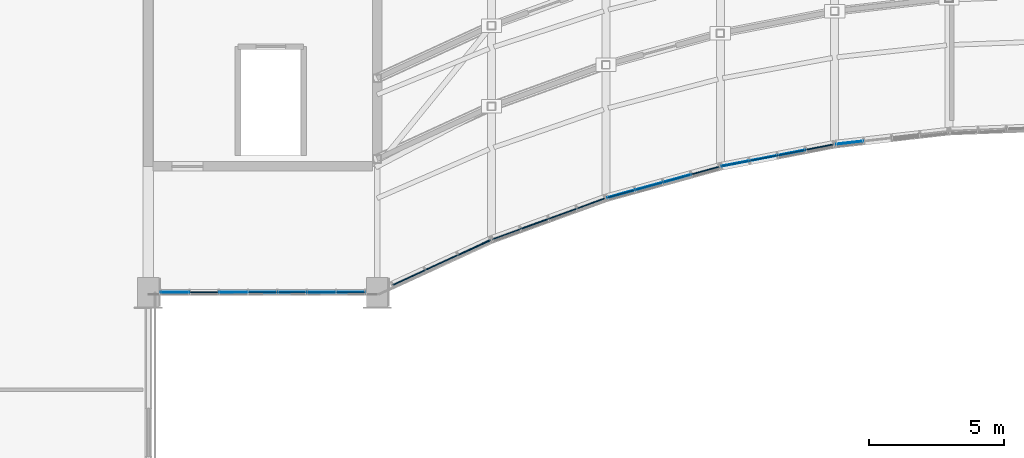
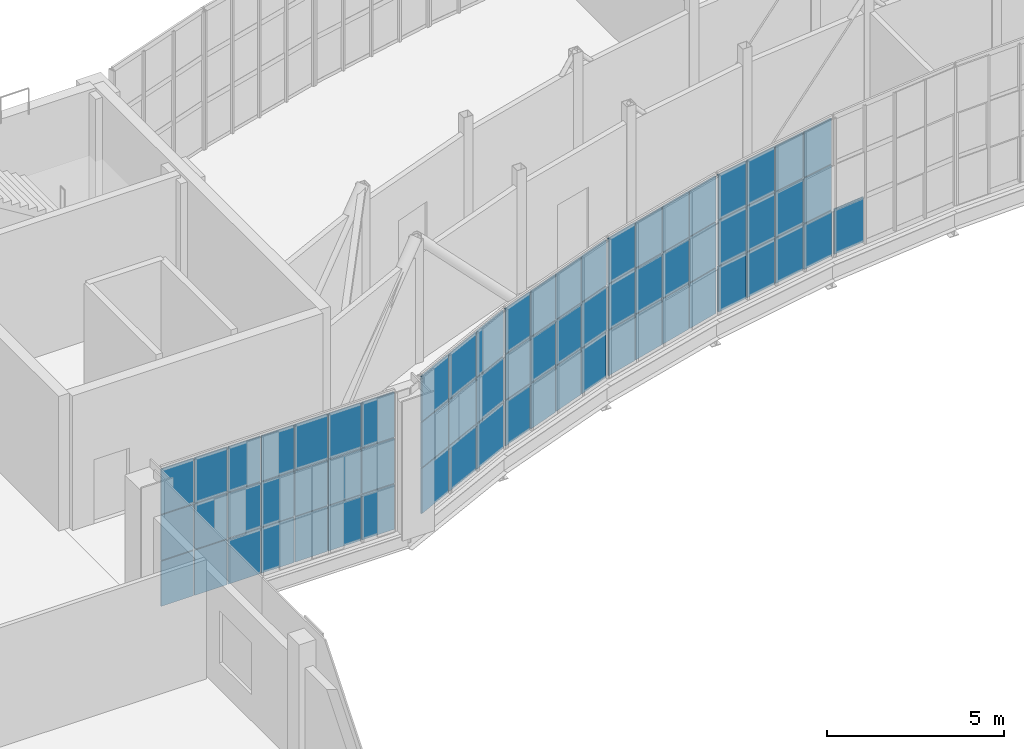
# One storey, part 42 of 66: 67 plates, 6 elements without a shape of their own.
"""IFC4 building model written with IfcOpenShell, lengths in metres."""

from ifc_helpers import new_model, si_unit, direction, frame, origin, origin_2d, place, context, subcontext, project, spatial, rectangle, extrude, material, layer, layer_set, type_object, element, aggregate, save


model = new_model("IFC4")

# Units and contexts
model_context = context("Model", 3, precision=1e-05, world=origin(), true_north=direction((0.0, 1.0)))
body_context = subcontext(model_context, "Body", "Model", "MODEL_VIEW")
ifc_project = project(units=[si_unit("LENGTHUNIT", "METRE"), si_unit("AREAUNIT", "SQUARE_METRE"), si_unit("VOLUMEUNIT", "CUBIC_METRE"), si_unit("PLANEANGLEUNIT", "RADIAN"), si_unit("MASSUNIT", "GRAM", prefix="KILO")], contexts=[model_context])

# Site, building, storey
site_placement = place(None, origin())
site = spatial("IfcSite", under=ifc_project, at=site_placement, CompositionType="ELEMENT")
building_placement = place(site_placement, origin())
building = spatial("IfcBuilding", under=site, at=building_placement, Name="Solvikara Media Centre", CompositionType="ELEMENT")
storey_placement = place(building_placement, frame((0.0, 0.0, 19.800048828125)))
storey = spatial("IfcBuildingStorey", under=building, at=storey_placement, Name="L04", CompositionType="ELEMENT", Elevation=19.800048828125)

# Curtain wall, plates
ifc_material_1 = material(Name="Anodised aluminium EN AW-6063", Category="aluminium")
curtain_wall_type_1 = type_object("IfcCurtainWallType", Name="CW-01", PredefinedType="NOTDEFINED", material=ifc_material_1)
curtain_wall_1_placement = place(storey_placement, origin())
curtain_wall_1 = element("IfcCurtainWall", 1, at=curtain_wall_1_placement, inside=storey, type_object=curtain_wall_type_1, Name="CW-L04-SARC-00", PredefinedType="NOTDEFINED")
ifc_material_2 = material(Name="Laminated solar-control cyan vision glass", Category="glass")
ifc_layer_1 = layer(ifc_material_2, 0.035888671875)
ifc_layer_set_1 = layer_set([ifc_layer_1], Name="Laminated solar-control cyan vision glass")
plate_type_1 = type_object("IfcPlateType", Name="PN-01", PredefinedType="CURTAIN_PANEL", material=ifc_layer_set_1)
plate_1_placement = place(storey_placement, frame((78.89697265625, 20.427001953125, 0.03466796875), z_axis=(0.0, 0.0, 1.0), x_axis=(0.908566513921, 0.417740218056, 0.0)))
plate_1 = element("IfcPlate", 2, at=plate_1_placement, type_object=plate_type_1, Name="CW-L04-SARC-00-P0100", PredefinedType="CURTAIN_PANEL", context=body_context, shape_type="SweptSolid", body=[
    extrude(rectangle(XDim=1.306884765625, YDim=0.035888671875, at=origin_2d()), origin(), (0.0, 0.0, 1.0), 1.556884765625),
])
plate_2_placement = place(storey_placement, frame((78.89697265625, 20.427001953125, 3.20849609375), z_axis=(0.0, 0.0, 1.0), x_axis=(0.908566513921, 0.417740218056, 0.0)))
plate_2 = element("IfcPlate", 3, at=plate_2_placement, type_object=plate_type_1, Name="CW-L04-SARC-00-P0102", PredefinedType="CURTAIN_PANEL", context=body_context, shape_type="SweptSolid", body=[
    extrude(rectangle(XDim=1.306884765625, YDim=0.035888671875, at=origin_2d()), origin(), (0.0, 0.0, 1.0), 1.556884765625),
])

curtain_wall_2_placement = place(storey_placement, origin())
curtain_wall_2 = element("IfcCurtainWall", 4, at=curtain_wall_2_placement, inside=storey, type_object=curtain_wall_type_1, Name="CW-L04-SARC-01", PredefinedType="NOTDEFINED")
plate_3_placement = place(storey_placement, frame((81.305908203125, 21.48095703125, 0.03466796875), z_axis=(0.0, 0.0, 1.0), x_axis=(0.939823877818, 0.341659302058, 0.0)))
plate_3 = element("IfcPlate", 5, at=plate_3_placement, type_object=plate_type_1, Name="CW-L04-SARC-01-P0000", PredefinedType="CURTAIN_PANEL", context=body_context, shape_type="SweptSolid", body=[
    extrude(rectangle(XDim=1.0830078125, YDim=0.035888671875, at=origin_2d()), origin(), (0.0, 0.0, 1.0), 1.556884765625),
])
plate_4_placement = place(storey_placement, frame((81.305908203125, 21.48095703125, 1.62158203125), z_axis=(0.0, 0.0, 1.0), x_axis=(0.939823877818, 0.341659302058, 0.0)))
plate_4 = element("IfcPlate", 6, at=plate_4_placement, type_object=plate_type_1, Name="CW-L04-SARC-01-P0001", PredefinedType="CURTAIN_PANEL", context=body_context, shape_type="SweptSolid", body=[
    extrude(rectangle(XDim=1.0830078125, YDim=0.035888671875, at=origin_2d()), origin(), (0.0, 0.0, 1.0), 1.556884765625),
])
plate_5_placement = place(storey_placement, frame((81.305908203125, 21.48095703125, 3.20849609375), z_axis=(0.0, 0.0, 1.0), x_axis=(0.939823877818, 0.341659302058, 0.0)))
plate_5 = element("IfcPlate", 7, at=plate_5_placement, type_object=plate_type_1, Name="CW-L04-SARC-01-P0002", PredefinedType="CURTAIN_PANEL", context=body_context, shape_type="SweptSolid", body=[
    extrude(rectangle(XDim=1.0830078125, YDim=0.035888671875, at=origin_2d()), origin(), (0.0, 0.0, 1.0), 1.556884765625),
])
plate_6_placement = place(storey_placement, frame((82.35205078125, 21.861083984375, 3.20849609375), z_axis=(0.0, 0.0, 1.0), x_axis=(0.939823877818, 0.341659302058, 0.0)))
plate_6 = element("IfcPlate", 8, at=plate_6_placement, type_object=plate_type_1, Name="CW-L04-SARC-01-P0102", PredefinedType="CURTAIN_PANEL", context=body_context, shape_type="SweptSolid", body=[
    extrude(rectangle(XDim=1.0830078125, YDim=0.035888671875, at=origin_2d()), origin(), (0.0, 0.0, 1.0), 1.556884765625),
])
plate_7_placement = place(storey_placement, frame((83.39794921875, 22.240966796875, 0.03466796875), z_axis=(0.0, 0.0, 1.0), x_axis=(0.939823877818, 0.341659302058, 0.0)))
plate_7 = element("IfcPlate", 9, at=plate_7_placement, type_object=plate_type_1, Name="CW-L04-SARC-01-P0200", PredefinedType="CURTAIN_PANEL", context=body_context, shape_type="SweptSolid", body=[
    extrude(rectangle(XDim=1.0830078125, YDim=0.035888671875, at=origin_2d()), origin(), (0.0, 0.0, 1.0), 1.556884765625),
])
plate_8_placement = place(storey_placement, frame((83.39794921875, 22.240966796875, 1.62158203125), z_axis=(0.0, 0.0, 1.0), x_axis=(0.939823877818, 0.341659302058, 0.0)))
plate_8 = element("IfcPlate", 10, at=plate_8_placement, type_object=plate_type_1, Name="CW-L04-SARC-01-P0201", PredefinedType="CURTAIN_PANEL", context=body_context, shape_type="SweptSolid", body=[
    extrude(rectangle(XDim=1.0830078125, YDim=0.035888671875, at=origin_2d()), origin(), (0.0, 0.0, 1.0), 1.556884765625),
])
plate_9_placement = place(storey_placement, frame((83.39794921875, 22.240966796875, 3.20849609375), z_axis=(0.0, 0.0, 1.0), x_axis=(0.939823877818, 0.341659302058, 0.0)))
plate_9 = element("IfcPlate", 11, at=plate_9_placement, type_object=plate_type_1, Name="CW-L04-SARC-01-P0202", PredefinedType="CURTAIN_PANEL", context=body_context, shape_type="SweptSolid", body=[
    extrude(rectangle(XDim=1.0830078125, YDim=0.035888671875, at=origin_2d()), origin(), (0.0, 0.0, 1.0), 1.556884765625),
])
plate_10_placement = place(storey_placement, frame((84.444091796875, 22.6220703125, 0.03466796875), z_axis=(0.0, 0.0, 1.0), x_axis=(0.939823877818, 0.341659302058, 0.0)))
plate_10 = element("IfcPlate", 12, at=plate_10_placement, type_object=plate_type_1, Name="CW-L04-SARC-01-P0300", PredefinedType="CURTAIN_PANEL", context=body_context, shape_type="SweptSolid", body=[
    extrude(rectangle(XDim=1.0830078125, YDim=0.035888671875, at=origin_2d()), origin(), (0.0, 0.0, 1.0), 1.556884765625),
])

curtain_wall_3_placement = place(storey_placement, origin())
curtain_wall_3 = element("IfcCurtainWall", 13, at=curtain_wall_3_placement, inside=storey, type_object=curtain_wall_type_1, Name="CW-L04-SARC-02", PredefinedType="NOTDEFINED")
plate_11_placement = place(storey_placement, frame((85.555908203125, 22.97705078125, 1.62158203125), z_axis=(0.0, 0.0, 1.0), x_axis=(0.96397015682, 0.26601040724, 0.0)))
plate_11 = element("IfcPlate", 14, at=plate_11_placement, type_object=plate_type_1, Name="CW-L04-SARC-02-P0001", PredefinedType="CURTAIN_PANEL", context=body_context, shape_type="SweptSolid", body=[
    extrude(rectangle(XDim=1.054931640625, YDim=0.035888671875, at=origin_2d()), origin(), (0.0, 0.0, 1.0), 1.556884765625),
])
plate_12_placement = place(storey_placement, frame((86.60205078125, 23.26611328125, 0.03466796875), z_axis=(0.0, 0.0, 1.0), x_axis=(0.96397015682, 0.26601040724, 0.0)))
plate_12 = element("IfcPlate", 15, at=plate_12_placement, type_object=plate_type_1, Name="CW-L04-SARC-02-P0100", PredefinedType="CURTAIN_PANEL", context=body_context, shape_type="SweptSolid", body=[
    extrude(rectangle(XDim=1.054931640625, YDim=0.035888671875, at=origin_2d()), origin(), (0.0, 0.0, 1.0), 1.556884765625),
])
plate_13_placement = place(storey_placement, frame((86.60205078125, 23.26611328125, 3.20849609375), z_axis=(0.0, 0.0, 1.0), x_axis=(0.96397015682, 0.26601040724, 0.0)))
plate_13 = element("IfcPlate", 16, at=plate_13_placement, type_object=plate_type_1, Name="CW-L04-SARC-02-P0102", PredefinedType="CURTAIN_PANEL", context=body_context, shape_type="SweptSolid", body=[
    extrude(rectangle(XDim=1.054931640625, YDim=0.035888671875, at=origin_2d()), origin(), (0.0, 0.0, 1.0), 1.556884765625),
])
plate_14_placement = place(storey_placement, frame((87.64697265625, 23.553955078125, 0.03466796875), z_axis=(0.0, 0.0, 1.0), x_axis=(0.96397015682, 0.26601040724, 0.0)))
plate_14 = element("IfcPlate", 17, at=plate_14_placement, type_object=plate_type_1, Name="CW-L04-SARC-02-P0200", PredefinedType="CURTAIN_PANEL", context=body_context, shape_type="SweptSolid", body=[
    extrude(rectangle(XDim=1.054931640625, YDim=0.035888671875, at=origin_2d()), origin(), (0.0, 0.0, 1.0), 1.556884765625),
])
plate_15_placement = place(storey_placement, frame((87.64697265625, 23.553955078125, 1.62158203125), z_axis=(0.0, 0.0, 1.0), x_axis=(0.96397015682, 0.26601040724, 0.0)))
plate_15 = element("IfcPlate", 18, at=plate_15_placement, type_object=plate_type_1, Name="CW-L04-SARC-02-P0201", PredefinedType="CURTAIN_PANEL", context=body_context, shape_type="SweptSolid", body=[
    extrude(rectangle(XDim=1.054931640625, YDim=0.035888671875, at=origin_2d()), origin(), (0.0, 0.0, 1.0), 1.556884765625),
])

curtain_wall_4_placement = place(storey_placement, origin())
curtain_wall_4 = element("IfcCurtainWall", 19, at=curtain_wall_4_placement, inside=storey, type_object=curtain_wall_type_1, Name="CW-L04-SARC-03", PredefinedType="NOTDEFINED")
plate_16_placement = place(storey_placement, frame((89.805908203125, 24.10400390625, 1.62158203125), z_axis=(0.0, 0.0, 1.0), x_axis=(0.981843017659, 0.189695252114, 0.0)))
plate_16 = element("IfcPlate", 20, at=plate_16_placement, type_object=plate_type_1, Name="CW-L04-SARC-03-P0001", PredefinedType="CURTAIN_PANEL", context=body_context, shape_type="SweptSolid", body=[
    extrude(rectangle(XDim=1.034912109375, YDim=0.035888671875, at=origin_2d()), origin(), (0.0, 0.0, 1.0), 1.556884765625),
])
plate_17_placement = place(storey_placement, frame((89.805908203125, 24.10400390625, 3.20849609375), z_axis=(0.0, 0.0, 1.0), x_axis=(0.981843017659, 0.189695252114, 0.0)))
plate_17 = element("IfcPlate", 21, at=plate_17_placement, type_object=plate_type_1, Name="CW-L04-SARC-03-P0002", PredefinedType="CURTAIN_PANEL", context=body_context, shape_type="SweptSolid", body=[
    extrude(rectangle(XDim=1.034912109375, YDim=0.035888671875, at=origin_2d()), origin(), (0.0, 0.0, 1.0), 1.556884765625),
])
plate_18_placement = place(storey_placement, frame((90.85205078125, 24.305908203125, 3.20849609375), z_axis=(0.0, 0.0, 1.0), x_axis=(0.981843017659, 0.189695252114, 0.0)))
plate_18 = element("IfcPlate", 22, at=plate_18_placement, type_object=plate_type_1, Name="CW-L04-SARC-03-P0102", PredefinedType="CURTAIN_PANEL", context=body_context, shape_type="SweptSolid", body=[
    extrude(rectangle(XDim=1.034912109375, YDim=0.035888671875, at=origin_2d()), origin(), (0.0, 0.0, 1.0), 1.556884765625),
])
plate_19_placement = place(storey_placement, frame((91.89794921875, 24.508056640625, 1.62158203125), z_axis=(0.0, 0.0, 1.0), x_axis=(0.981843017659, 0.189695252114, 0.0)))
plate_19 = element("IfcPlate", 23, at=plate_19_placement, type_object=plate_type_1, Name="CW-L04-SARC-03-P0201", PredefinedType="CURTAIN_PANEL", context=body_context, shape_type="SweptSolid", body=[
    extrude(rectangle(XDim=1.034912109375, YDim=0.035888671875, at=origin_2d()), origin(), (0.0, 0.0, 1.0), 1.556884765625),
])

# Curtain wall, plate
curtain_wall_5_placement = place(storey_placement, origin())
curtain_wall_5 = element("IfcCurtainWall", 24, at=curtain_wall_5_placement, inside=storey, type_object=curtain_wall_type_1, Name="CW-L04-SARC-04", PredefinedType="NOTDEFINED")
plate_20_placement = place(storey_placement, frame((94.05810546875, 24.882080078125, 0.03466796875), z_axis=(0.0, 0.0, 1.0), x_axis=(0.993498545066, 0.113844810828, 0.0)))
plate_20 = element("IfcPlate", 25, at=plate_20_placement, type_object=plate_type_1, Name="CW-L04-SARC-04-P0000", PredefinedType="CURTAIN_PANEL", context=body_context, shape_type="SweptSolid", body=[
    extrude(rectangle(XDim=1.02197265625, YDim=0.035888671875, at=origin_2d()), origin(), (0.0, 0.0, 1.0), 1.556884765625),
])
aggregate(curtain_wall_5, [plate_20])

# Curtain wall, plates
curtain_wall_type_2 = type_object("IfcCurtainWallType", Name="CW-10", PredefinedType="NOTDEFINED", material=ifc_material_1)
curtain_wall_6_placement = place(storey_placement, origin())
curtain_wall_6 = element("IfcCurtainWall", 26, at=curtain_wall_6_placement, inside=storey, type_object=curtain_wall_type_2, Name="CW-L04-BHWS", PredefinedType="NOTDEFINED")
plate_21_placement = place(storey_placement, frame((68.98388671875, 19.323974609375, 0.03466796875), z_axis=(0.0, 0.0, 1.0), x_axis=(1.0, 0.0, 0.0)))
plate_21 = element("IfcPlate", 27, at=plate_21_placement, type_object=plate_type_1, Name="CW-L04-BHWS-P0000", PredefinedType="CURTAIN_PANEL", context=body_context, shape_type="SweptSolid", body=[
    extrude(rectangle(XDim=1.05908203125, YDim=0.035888671875, at=origin_2d()), origin(), (0.0, 0.0, 1.0), 1.556884765625),
])
plate_22_placement = place(storey_placement, frame((68.98388671875, 19.323974609375, 1.62158203125), z_axis=(0.0, 0.0, 1.0), x_axis=(1.0, 0.0, 0.0)))
plate_22 = element("IfcPlate", 28, at=plate_22_placement, type_object=plate_type_1, Name="CW-L04-BHWS-P0001", PredefinedType="CURTAIN_PANEL", context=body_context, shape_type="SweptSolid", body=[
    extrude(rectangle(XDim=1.05908203125, YDim=0.035888671875, at=origin_2d()), origin(), (0.0, 0.0, 1.0), 1.556884765625),
])
plate_23_placement = place(storey_placement, frame((68.98388671875, 19.323974609375, 3.20849609375), z_axis=(0.0, 0.0, 1.0), x_axis=(1.0, 0.0, 0.0)))
plate_23 = element("IfcPlate", 29, at=plate_23_placement, type_object=plate_type_1, Name="CW-L04-BHWS-P0002", PredefinedType="CURTAIN_PANEL", context=body_context, shape_type="SweptSolid", body=[
    extrude(rectangle(XDim=1.05908203125, YDim=0.035888671875, at=origin_2d()), origin(), (0.0, 0.0, 1.0), 1.556884765625),
])
plate_24_placement = place(storey_placement, frame((71.160888671875, 19.323974609375, 0.03466796875), z_axis=(0.0, 0.0, 1.0), x_axis=(1.0, 0.0, 0.0)))
plate_24 = element("IfcPlate", 30, at=plate_24_placement, type_object=plate_type_1, Name="CW-L04-BHWS-P0200", PredefinedType="CURTAIN_PANEL", context=body_context, shape_type="SweptSolid", body=[
    extrude(rectangle(XDim=1.05908203125, YDim=0.035888671875, at=origin_2d()), origin(), (0.0, 0.0, 1.0), 1.556884765625),
])
plate_25_placement = place(storey_placement, frame((71.160888671875, 19.323974609375, 1.62158203125), z_axis=(0.0, 0.0, 1.0), x_axis=(1.0, 0.0, 0.0)))
plate_25 = element("IfcPlate", 31, at=plate_25_placement, type_object=plate_type_1, Name="CW-L04-BHWS-P0201", PredefinedType="CURTAIN_PANEL", context=body_context, shape_type="SweptSolid", body=[
    extrude(rectangle(XDim=1.05908203125, YDim=0.035888671875, at=origin_2d()), origin(), (0.0, 0.0, 1.0), 1.556884765625),
])
plate_26_placement = place(storey_placement, frame((71.160888671875, 19.323974609375, 3.20849609375), z_axis=(0.0, 0.0, 1.0), x_axis=(1.0, 0.0, 0.0)))
plate_26 = element("IfcPlate", 32, at=plate_26_placement, type_object=plate_type_1, Name="CW-L04-BHWS-P0202", PredefinedType="CURTAIN_PANEL", context=body_context, shape_type="SweptSolid", body=[
    extrude(rectangle(XDim=1.05908203125, YDim=0.035888671875, at=origin_2d()), origin(), (0.0, 0.0, 1.0), 1.556884765625),
])
plate_27_placement = place(storey_placement, frame((72.25, 19.323974609375, 0.03466796875), z_axis=(0.0, 0.0, 1.0), x_axis=(1.0, 0.0, 0.0)))
plate_27 = element("IfcPlate", 33, at=plate_27_placement, type_object=plate_type_1, Name="CW-L04-BHWS-P0300", PredefinedType="CURTAIN_PANEL", context=body_context, shape_type="SweptSolid", body=[
    extrude(rectangle(XDim=1.05908203125, YDim=0.035888671875, at=origin_2d()), origin(), (0.0, 0.0, 1.0), 1.556884765625),
])
plate_28_placement = place(storey_placement, frame((73.339111328125, 19.323974609375, 0.03466796875), z_axis=(0.0, 0.0, 1.0), x_axis=(1.0, 0.0, 0.0)))
plate_28 = element("IfcPlate", 34, at=plate_28_placement, type_object=plate_type_1, Name="CW-L04-BHWS-P0400", PredefinedType="CURTAIN_PANEL", context=body_context, shape_type="SweptSolid", body=[
    extrude(rectangle(XDim=1.05908203125, YDim=0.035888671875, at=origin_2d()), origin(), (0.0, 0.0, 1.0), 1.556884765625),
])
plate_29_placement = place(storey_placement, frame((74.427001953125, 19.323974609375, 0.03466796875), z_axis=(0.0, 0.0, 1.0), x_axis=(1.0, 0.0, 0.0)))
plate_29 = element("IfcPlate", 35, at=plate_29_placement, type_object=plate_type_1, Name="CW-L04-BHWS-P0500", PredefinedType="CURTAIN_PANEL", context=body_context, shape_type="SweptSolid", body=[
    extrude(rectangle(XDim=1.05908203125, YDim=0.035888671875, at=origin_2d()), origin(), (0.0, 0.0, 1.0), 1.556884765625),
])
plate_30_placement = place(storey_placement, frame((74.427001953125, 19.323974609375, 3.20849609375), z_axis=(0.0, 0.0, 1.0), x_axis=(1.0, 0.0, 0.0)))
plate_30 = element("IfcPlate", 36, at=plate_30_placement, type_object=plate_type_1, Name="CW-L04-BHWS-P0502", PredefinedType="CURTAIN_PANEL", context=body_context, shape_type="SweptSolid", body=[
    extrude(rectangle(XDim=1.05908203125, YDim=0.035888671875, at=origin_2d()), origin(), (0.0, 0.0, 1.0), 1.556884765625),
])
plate_31_placement = place(storey_placement, frame((75.51611328125, 19.323974609375, 1.62158203125), z_axis=(0.0, 0.0, 1.0), x_axis=(1.0, 0.0, 0.0)))
plate_31 = element("IfcPlate", 37, at=plate_31_placement, type_object=plate_type_1, Name="CW-L04-BHWS-P0601", PredefinedType="CURTAIN_PANEL", context=body_context, shape_type="SweptSolid", body=[
    extrude(rectangle(XDim=1.05908203125, YDim=0.035888671875, at=origin_2d()), origin(), (0.0, 0.0, 1.0), 1.556884765625),
])

# Plate
ifc_material_3 = material(Name="Ceramic-fritted teal low-E glass", Category="glass")
ifc_layer_2 = layer(ifc_material_3, 0.0419921875)
ifc_layer_set_2 = layer_set([ifc_layer_2], Name="Ceramic-fritted teal low-E glass")
plate_type_2 = type_object("IfcPlateType", Name="PN-02", PredefinedType="CURTAIN_PANEL", material=ifc_layer_set_2)
plate_32_placement = place(storey_placement, frame((77.681884765625, 19.867919921875, 0.03466796875), z_axis=(0.0, 0.0, 1.0), x_axis=(0.908566513921, 0.417740218056, 0.0)))
plate_32 = element("IfcPlate", 38, at=plate_32_placement, type_object=plate_type_2, Name="CW-L04-SARC-00-P0000", PredefinedType="CURTAIN_PANEL", context=body_context, shape_type="SweptSolid", body=[
    extrude(rectangle(XDim=1.306884765625, YDim=0.0419921875, at=origin_2d()), origin(), (0.0, 0.0, 1.0), 1.556884765625),
])

plate_33_placement = place(storey_placement, frame((77.681884765625, 19.867919921875, 1.62158203125), z_axis=(0.0, 0.0, 1.0), x_axis=(0.908566513921, 0.417740218056, 0.0)))
plate_33 = element("IfcPlate", 39, at=plate_33_placement, type_object=plate_type_2, Name="CW-L04-SARC-00-P0001", PredefinedType="CURTAIN_PANEL", context=body_context, shape_type="SweptSolid", body=[
    extrude(rectangle(XDim=1.306884765625, YDim=0.0419921875, at=origin_2d()), origin(), (0.0, 0.0, 1.0), 1.556884765625),
])

plate_34_placement = place(storey_placement, frame((77.681884765625, 19.867919921875, 3.20849609375), z_axis=(0.0, 0.0, 1.0), x_axis=(0.908566513921, 0.417740218056, 0.0)))
plate_34 = element("IfcPlate", 40, at=plate_34_placement, type_object=plate_type_2, Name="CW-L04-SARC-00-P0002", PredefinedType="CURTAIN_PANEL", context=body_context, shape_type="SweptSolid", body=[
    extrude(rectangle(XDim=1.306884765625, YDim=0.0419921875, at=origin_2d()), origin(), (0.0, 0.0, 1.0), 1.556884765625),
])

plate_35_placement = place(storey_placement, frame((78.89697265625, 20.427001953125, 1.62158203125), z_axis=(0.0, 0.0, 1.0), x_axis=(0.908566513921, 0.417740218056, 0.0)))
plate_35 = element("IfcPlate", 41, at=plate_35_placement, type_object=plate_type_2, Name="CW-L04-SARC-00-P0101", PredefinedType="CURTAIN_PANEL", context=body_context, shape_type="SweptSolid", body=[
    extrude(rectangle(XDim=1.306884765625, YDim=0.0419921875, at=origin_2d()), origin(), (0.0, 0.0, 1.0), 1.556884765625),
])

plate_36_placement = place(storey_placement, frame((80.111083984375, 20.985107421875, 1.62158203125), z_axis=(0.0, 0.0, 1.0), x_axis=(0.908566513921, 0.417740218056, 0.0)))
plate_36 = element("IfcPlate", 42, at=plate_36_placement, type_object=plate_type_2, Name="CW-L04-SARC-00-P0201", PredefinedType="CURTAIN_PANEL", context=body_context, shape_type="SweptSolid", body=[
    extrude(rectangle(XDim=1.306884765625, YDim=0.0419921875, at=origin_2d()), origin(), (0.0, 0.0, 1.0), 1.556884765625),
])

plate_37_placement = place(storey_placement, frame((80.111083984375, 20.985107421875, 3.20849609375), z_axis=(0.0, 0.0, 1.0), x_axis=(0.908566513921, 0.417740218056, 0.0)))
plate_37 = element("IfcPlate", 43, at=plate_37_placement, type_object=plate_type_2, Name="CW-L04-SARC-00-P0202", PredefinedType="CURTAIN_PANEL", context=body_context, shape_type="SweptSolid", body=[
    extrude(rectangle(XDim=1.306884765625, YDim=0.0419921875, at=origin_2d()), origin(), (0.0, 0.0, 1.0), 1.556884765625),
])

plate_38_placement = place(storey_placement, frame((82.35205078125, 21.861083984375, 1.62158203125), z_axis=(0.0, 0.0, 1.0), x_axis=(0.939823877818, 0.341659302058, 0.0)))
plate_38 = element("IfcPlate", 44, at=plate_38_placement, type_object=plate_type_2, Name="CW-L04-SARC-01-P0101", PredefinedType="CURTAIN_PANEL", context=body_context, shape_type="SweptSolid", body=[
    extrude(rectangle(XDim=1.0830078125, YDim=0.0419921875, at=origin_2d()), origin(), (0.0, 0.0, 1.0), 1.556884765625),
])

plate_39_placement = place(storey_placement, frame((84.444091796875, 22.6220703125, 1.62158203125), z_axis=(0.0, 0.0, 1.0), x_axis=(0.939823877818, 0.341659302058, 0.0)))
plate_39 = element("IfcPlate", 45, at=plate_39_placement, type_object=plate_type_2, Name="CW-L04-SARC-01-P0301", PredefinedType="CURTAIN_PANEL", context=body_context, shape_type="SweptSolid", body=[
    extrude(rectangle(XDim=1.0830078125, YDim=0.0419921875, at=origin_2d()), origin(), (0.0, 0.0, 1.0), 1.556884765625),
])

plate_40_placement = place(storey_placement, frame((84.444091796875, 22.6220703125, 3.20849609375), z_axis=(0.0, 0.0, 1.0), x_axis=(0.939823877818, 0.341659302058, 0.0)))
plate_40 = element("IfcPlate", 46, at=plate_40_placement, type_object=plate_type_2, Name="CW-L04-SARC-01-P0302", PredefinedType="CURTAIN_PANEL", context=body_context, shape_type="SweptSolid", body=[
    extrude(rectangle(XDim=1.0830078125, YDim=0.0419921875, at=origin_2d()), origin(), (0.0, 0.0, 1.0), 1.556884765625),
])

plate_41_placement = place(storey_placement, frame((85.555908203125, 22.97705078125, 0.03466796875), z_axis=(0.0, 0.0, 1.0), x_axis=(0.96397015682, 0.26601040724, 0.0)))
plate_41 = element("IfcPlate", 47, at=plate_41_placement, type_object=plate_type_2, Name="CW-L04-SARC-02-P0000", PredefinedType="CURTAIN_PANEL", context=body_context, shape_type="SweptSolid", body=[
    extrude(rectangle(XDim=1.054931640625, YDim=0.0419921875, at=origin_2d()), origin(), (0.0, 0.0, 1.0), 1.556884765625),
])

plate_42_placement = place(storey_placement, frame((85.555908203125, 22.97705078125, 3.20849609375), z_axis=(0.0, 0.0, 1.0), x_axis=(0.96397015682, 0.26601040724, 0.0)))
plate_42 = element("IfcPlate", 48, at=plate_42_placement, type_object=plate_type_2, Name="CW-L04-SARC-02-P0002", PredefinedType="CURTAIN_PANEL", context=body_context, shape_type="SweptSolid", body=[
    extrude(rectangle(XDim=1.054931640625, YDim=0.0419921875, at=origin_2d()), origin(), (0.0, 0.0, 1.0), 1.556884765625),
])

plate_43_placement = place(storey_placement, frame((86.60205078125, 23.26611328125, 1.62158203125), z_axis=(0.0, 0.0, 1.0), x_axis=(0.96397015682, 0.26601040724, 0.0)))
plate_43 = element("IfcPlate", 49, at=plate_43_placement, type_object=plate_type_2, Name="CW-L04-SARC-02-P0101", PredefinedType="CURTAIN_PANEL", context=body_context, shape_type="SweptSolid", body=[
    extrude(rectangle(XDim=1.054931640625, YDim=0.0419921875, at=origin_2d()), origin(), (0.0, 0.0, 1.0), 1.556884765625),
])

plate_44_placement = place(storey_placement, frame((87.64697265625, 23.553955078125, 3.20849609375), z_axis=(0.0, 0.0, 1.0), x_axis=(0.96397015682, 0.26601040724, 0.0)))
plate_44 = element("IfcPlate", 50, at=plate_44_placement, type_object=plate_type_2, Name="CW-L04-SARC-02-P0202", PredefinedType="CURTAIN_PANEL", context=body_context, shape_type="SweptSolid", body=[
    extrude(rectangle(XDim=1.054931640625, YDim=0.0419921875, at=origin_2d()), origin(), (0.0, 0.0, 1.0), 1.556884765625),
])

plate_45_placement = place(storey_placement, frame((88.693115234375, 23.843017578125, 0.03466796875), z_axis=(0.0, 0.0, 1.0), x_axis=(0.96397015682, 0.26601040724, 0.0)))
plate_45 = element("IfcPlate", 51, at=plate_45_placement, type_object=plate_type_2, Name="CW-L04-SARC-02-P0300", PredefinedType="CURTAIN_PANEL", context=body_context, shape_type="SweptSolid", body=[
    extrude(rectangle(XDim=1.054931640625, YDim=0.0419921875, at=origin_2d()), origin(), (0.0, 0.0, 1.0), 1.556884765625),
])

plate_46_placement = place(storey_placement, frame((88.693115234375, 23.843017578125, 1.62158203125), z_axis=(0.0, 0.0, 1.0), x_axis=(0.96397015682, 0.26601040724, 0.0)))
plate_46 = element("IfcPlate", 52, at=plate_46_placement, type_object=plate_type_2, Name="CW-L04-SARC-02-P0301", PredefinedType="CURTAIN_PANEL", context=body_context, shape_type="SweptSolid", body=[
    extrude(rectangle(XDim=1.054931640625, YDim=0.0419921875, at=origin_2d()), origin(), (0.0, 0.0, 1.0), 1.556884765625),
])

plate_47_placement = place(storey_placement, frame((88.693115234375, 23.843017578125, 3.20849609375), z_axis=(0.0, 0.0, 1.0), x_axis=(0.96397015682, 0.26601040724, 0.0)))
plate_47 = element("IfcPlate", 53, at=plate_47_placement, type_object=plate_type_2, Name="CW-L04-SARC-02-P0302", PredefinedType="CURTAIN_PANEL", context=body_context, shape_type="SweptSolid", body=[
    extrude(rectangle(XDim=1.054931640625, YDim=0.0419921875, at=origin_2d()), origin(), (0.0, 0.0, 1.0), 1.556884765625),
])

aggregate(curtain_wall_3, [plate_41, plate_11, plate_42, plate_12, plate_43, plate_13, plate_14, plate_15, plate_44, plate_45, plate_46, plate_47])

plate_48_placement = place(storey_placement, frame((90.85205078125, 24.305908203125, 0.03466796875), z_axis=(0.0, 0.0, 1.0), x_axis=(0.981843017659, 0.189695252114, 0.0)))
plate_48 = element("IfcPlate", 54, at=plate_48_placement, type_object=plate_type_2, Name="CW-L04-SARC-03-P0100", PredefinedType="CURTAIN_PANEL", context=body_context, shape_type="SweptSolid", body=[
    extrude(rectangle(XDim=1.034912109375, YDim=0.0419921875, at=origin_2d()), origin(), (0.0, 0.0, 1.0), 1.556884765625),
])

plate_49_placement = place(storey_placement, frame((90.85205078125, 24.305908203125, 1.62158203125), z_axis=(0.0, 0.0, 1.0), x_axis=(0.981843017659, 0.189695252114, 0.0)))
plate_49 = element("IfcPlate", 55, at=plate_49_placement, type_object=plate_type_2, Name="CW-L04-SARC-03-P0101", PredefinedType="CURTAIN_PANEL", context=body_context, shape_type="SweptSolid", body=[
    extrude(rectangle(XDim=1.034912109375, YDim=0.0419921875, at=origin_2d()), origin(), (0.0, 0.0, 1.0), 1.556884765625),
])

plate_50_placement = place(storey_placement, frame((91.89794921875, 24.508056640625, 0.03466796875), z_axis=(0.0, 0.0, 1.0), x_axis=(0.981843017659, 0.189695252114, 0.0)))
plate_50 = element("IfcPlate", 56, at=plate_50_placement, type_object=plate_type_2, Name="CW-L04-SARC-03-P0200", PredefinedType="CURTAIN_PANEL", context=body_context, shape_type="SweptSolid", body=[
    extrude(rectangle(XDim=1.034912109375, YDim=0.0419921875, at=origin_2d()), origin(), (0.0, 0.0, 1.0), 1.556884765625),
])

plate_51_placement = place(storey_placement, frame((91.89794921875, 24.508056640625, 3.20849609375), z_axis=(0.0, 0.0, 1.0), x_axis=(0.981843017659, 0.189695252114, 0.0)))
plate_51 = element("IfcPlate", 57, at=plate_51_placement, type_object=plate_type_2, Name="CW-L04-SARC-03-P0202", PredefinedType="CURTAIN_PANEL", context=body_context, shape_type="SweptSolid", body=[
    extrude(rectangle(XDim=1.034912109375, YDim=0.0419921875, at=origin_2d()), origin(), (0.0, 0.0, 1.0), 1.556884765625),
])

plate_52_placement = place(storey_placement, frame((92.943115234375, 24.7099609375, 1.62158203125), z_axis=(0.0, 0.0, 1.0), x_axis=(0.981843017659, 0.189695252114, 0.0)))
plate_52 = element("IfcPlate", 58, at=plate_52_placement, type_object=plate_type_2, Name="CW-L04-SARC-03-P0301", PredefinedType="CURTAIN_PANEL", context=body_context, shape_type="SweptSolid", body=[
    extrude(rectangle(XDim=1.034912109375, YDim=0.0419921875, at=origin_2d()), origin(), (0.0, 0.0, 1.0), 1.556884765625),
])

plate_53_placement = place(storey_placement, frame((92.943115234375, 24.7099609375, 3.20849609375), z_axis=(0.0, 0.0, 1.0), x_axis=(0.981843017659, 0.189695252114, 0.0)))
plate_53 = element("IfcPlate", 59, at=plate_53_placement, type_object=plate_type_2, Name="CW-L04-SARC-03-P0302", PredefinedType="CURTAIN_PANEL", context=body_context, shape_type="SweptSolid", body=[
    extrude(rectangle(XDim=1.034912109375, YDim=0.0419921875, at=origin_2d()), origin(), (0.0, 0.0, 1.0), 1.556884765625),
])

plate_54_placement = place(storey_placement, frame((70.072998046875, 19.323974609375, 0.03466796875), z_axis=(0.0, 0.0, 1.0), x_axis=(1.0, 0.0, 0.0)))
plate_54 = element("IfcPlate", 60, at=plate_54_placement, type_object=plate_type_2, Name="CW-L04-BHWS-P0100", PredefinedType="CURTAIN_PANEL", context=body_context, shape_type="SweptSolid", body=[
    extrude(rectangle(XDim=1.05908203125, YDim=0.0419921875, at=origin_2d()), origin(), (0.0, 0.0, 1.0), 1.556884765625),
])

plate_55_placement = place(storey_placement, frame((70.072998046875, 19.323974609375, 1.62158203125), z_axis=(0.0, 0.0, 1.0), x_axis=(1.0, 0.0, 0.0)))
plate_55 = element("IfcPlate", 61, at=plate_55_placement, type_object=plate_type_2, Name="CW-L04-BHWS-P0101", PredefinedType="CURTAIN_PANEL", context=body_context, shape_type="SweptSolid", body=[
    extrude(rectangle(XDim=1.05908203125, YDim=0.0419921875, at=origin_2d()), origin(), (0.0, 0.0, 1.0), 1.556884765625),
])

plate_56_placement = place(storey_placement, frame((70.072998046875, 19.323974609375, 3.20849609375), z_axis=(0.0, 0.0, 1.0), x_axis=(1.0, 0.0, 0.0)))
plate_56 = element("IfcPlate", 62, at=plate_56_placement, type_object=plate_type_2, Name="CW-L04-BHWS-P0102", PredefinedType="CURTAIN_PANEL", context=body_context, shape_type="SweptSolid", body=[
    extrude(rectangle(XDim=1.05908203125, YDim=0.0419921875, at=origin_2d()), origin(), (0.0, 0.0, 1.0), 1.556884765625),
])

plate_57_placement = place(storey_placement, frame((72.25, 19.323974609375, 1.62158203125), z_axis=(0.0, 0.0, 1.0), x_axis=(1.0, 0.0, 0.0)))
plate_57 = element("IfcPlate", 63, at=plate_57_placement, type_object=plate_type_2, Name="CW-L04-BHWS-P0301", PredefinedType="CURTAIN_PANEL", context=body_context, shape_type="SweptSolid", body=[
    extrude(rectangle(XDim=1.05908203125, YDim=0.0419921875, at=origin_2d()), origin(), (0.0, 0.0, 1.0), 1.556884765625),
])

plate_58_placement = place(storey_placement, frame((72.25, 19.323974609375, 3.20849609375), z_axis=(0.0, 0.0, 1.0), x_axis=(1.0, 0.0, 0.0)))
plate_58 = element("IfcPlate", 64, at=plate_58_placement, type_object=plate_type_2, Name="CW-L04-BHWS-P0302", PredefinedType="CURTAIN_PANEL", context=body_context, shape_type="SweptSolid", body=[
    extrude(rectangle(XDim=1.05908203125, YDim=0.0419921875, at=origin_2d()), origin(), (0.0, 0.0, 1.0), 1.556884765625),
])

plate_59_placement = place(storey_placement, frame((73.339111328125, 19.323974609375, 3.20849609375), z_axis=(0.0, 0.0, 1.0), x_axis=(1.0, 0.0, 0.0)))
plate_59 = element("IfcPlate", 65, at=plate_59_placement, type_object=plate_type_2, Name="CW-L04-BHWS-P0402", PredefinedType="CURTAIN_PANEL", context=body_context, shape_type="SweptSolid", body=[
    extrude(rectangle(XDim=1.05908203125, YDim=0.0419921875, at=origin_2d()), origin(), (0.0, 0.0, 1.0), 1.556884765625),
])

plate_60_placement = place(storey_placement, frame((75.51611328125, 19.323974609375, 0.03466796875), z_axis=(0.0, 0.0, 1.0), x_axis=(1.0, 0.0, 0.0)))
plate_60 = element("IfcPlate", 66, at=plate_60_placement, type_object=plate_type_2, Name="CW-L04-BHWS-P0600", PredefinedType="CURTAIN_PANEL", context=body_context, shape_type="SweptSolid", body=[
    extrude(rectangle(XDim=1.05908203125, YDim=0.0419921875, at=origin_2d()), origin(), (0.0, 0.0, 1.0), 1.556884765625),
])

plate_61_placement = place(storey_placement, frame((75.51611328125, 19.323974609375, 3.20849609375), z_axis=(0.0, 0.0, 1.0), x_axis=(1.0, 0.0, 0.0)))
plate_61 = element("IfcPlate", 67, at=plate_61_placement, type_object=plate_type_2, Name="CW-L04-BHWS-P0602", PredefinedType="CURTAIN_PANEL", context=body_context, shape_type="SweptSolid", body=[
    extrude(rectangle(XDim=1.05908203125, YDim=0.0419921875, at=origin_2d()), origin(), (0.0, 0.0, 1.0), 1.556884765625),
])

ifc_material_4 = material(Name="Insulated silver-pearl glass spandrel panel", Category="glass")
ifc_layer_3 = layer(ifc_material_4, 0.054931640625)
ifc_layer_set_3 = layer_set([ifc_layer_3], Name="Insulated silver-pearl glass spandrel panel")
plate_type_3 = type_object("IfcPlateType", Name="PN-03", PredefinedType="CURTAIN_PANEL", material=ifc_layer_set_3)
plate_62_placement = place(storey_placement, frame((80.111083984375, 20.985107421875, 0.03466796875), z_axis=(0.0, 0.0, 1.0), x_axis=(0.908566513921, 0.417740218056, 0.0)))
plate_62 = element("IfcPlate", 68, at=plate_62_placement, type_object=plate_type_3, Name="CW-L04-SARC-00-P0200", PredefinedType="CURTAIN_PANEL", context=body_context, shape_type="SweptSolid", body=[
    extrude(rectangle(XDim=1.306884765625, YDim=0.054931640625, at=origin_2d()), origin(), (0.0, 0.0, 1.0), 1.556884765625),
])

aggregate(curtain_wall_1, [plate_32, plate_33, plate_34, plate_1, plate_35, plate_2, plate_62, plate_36, plate_37])

plate_63_placement = place(storey_placement, frame((82.35205078125, 21.861083984375, 0.03466796875), z_axis=(0.0, 0.0, 1.0), x_axis=(0.939823877818, 0.341659302058, 0.0)))
plate_63 = element("IfcPlate", 69, at=plate_63_placement, type_object=plate_type_3, Name="CW-L04-SARC-01-P0100", PredefinedType="CURTAIN_PANEL", context=body_context, shape_type="SweptSolid", body=[
    extrude(rectangle(XDim=1.0830078125, YDim=0.054931640625, at=origin_2d()), origin(), (0.0, 0.0, 1.0), 1.556884765625),
])

aggregate(curtain_wall_2, [plate_3, plate_4, plate_5, plate_63, plate_38, plate_6, plate_7, plate_8, plate_9, plate_10, plate_39, plate_40])

plate_64_placement = place(storey_placement, frame((89.805908203125, 24.10400390625, 0.03466796875), z_axis=(0.0, 0.0, 1.0), x_axis=(0.981843017659, 0.189695252114, 0.0)))
plate_64 = element("IfcPlate", 70, at=plate_64_placement, type_object=plate_type_3, Name="CW-L04-SARC-03-P0000", PredefinedType="CURTAIN_PANEL", context=body_context, shape_type="SweptSolid", body=[
    extrude(rectangle(XDim=1.034912109375, YDim=0.054931640625, at=origin_2d()), origin(), (0.0, 0.0, 1.0), 1.556884765625),
])

plate_65_placement = place(storey_placement, frame((92.943115234375, 24.7099609375, 0.03466796875), z_axis=(0.0, 0.0, 1.0), x_axis=(0.981843017659, 0.189695252114, 0.0)))
plate_65 = element("IfcPlate", 71, at=plate_65_placement, type_object=plate_type_3, Name="CW-L04-SARC-03-P0300", PredefinedType="CURTAIN_PANEL", context=body_context, shape_type="SweptSolid", body=[
    extrude(rectangle(XDim=1.034912109375, YDim=0.054931640625, at=origin_2d()), origin(), (0.0, 0.0, 1.0), 1.556884765625),
])

aggregate(curtain_wall_4, [plate_64, plate_16, plate_17, plate_48, plate_49, plate_18, plate_50, plate_19, plate_51, plate_65, plate_52, plate_53])

plate_66_placement = place(storey_placement, frame((73.339111328125, 19.323974609375, 1.62158203125), z_axis=(0.0, 0.0, 1.0), x_axis=(1.0, 0.0, 0.0)))
plate_66 = element("IfcPlate", 72, at=plate_66_placement, type_object=plate_type_3, Name="CW-L04-BHWS-P0401", PredefinedType="CURTAIN_PANEL", context=body_context, shape_type="SweptSolid", body=[
    extrude(rectangle(XDim=1.05908203125, YDim=0.054931640625, at=origin_2d()), origin(), (0.0, 0.0, 1.0), 1.556884765625),
])

plate_67_placement = place(storey_placement, frame((74.427001953125, 19.323974609375, 1.62158203125), z_axis=(0.0, 0.0, 1.0), x_axis=(1.0, 0.0, 0.0)))
plate_67 = element("IfcPlate", 73, at=plate_67_placement, type_object=plate_type_3, Name="CW-L04-BHWS-P0501", PredefinedType="CURTAIN_PANEL", context=body_context, shape_type="SweptSolid", body=[
    extrude(rectangle(XDim=1.05908203125, YDim=0.054931640625, at=origin_2d()), origin(), (0.0, 0.0, 1.0), 1.556884765625),
])

aggregate(curtain_wall_6, [plate_21, plate_22, plate_23, plate_54, plate_55, plate_56, plate_24, plate_25, plate_26, plate_27, plate_57, plate_58, plate_28, plate_66, plate_59, plate_29, plate_67, plate_30, plate_60, plate_31, plate_61])

save(model, "model.ifc")
